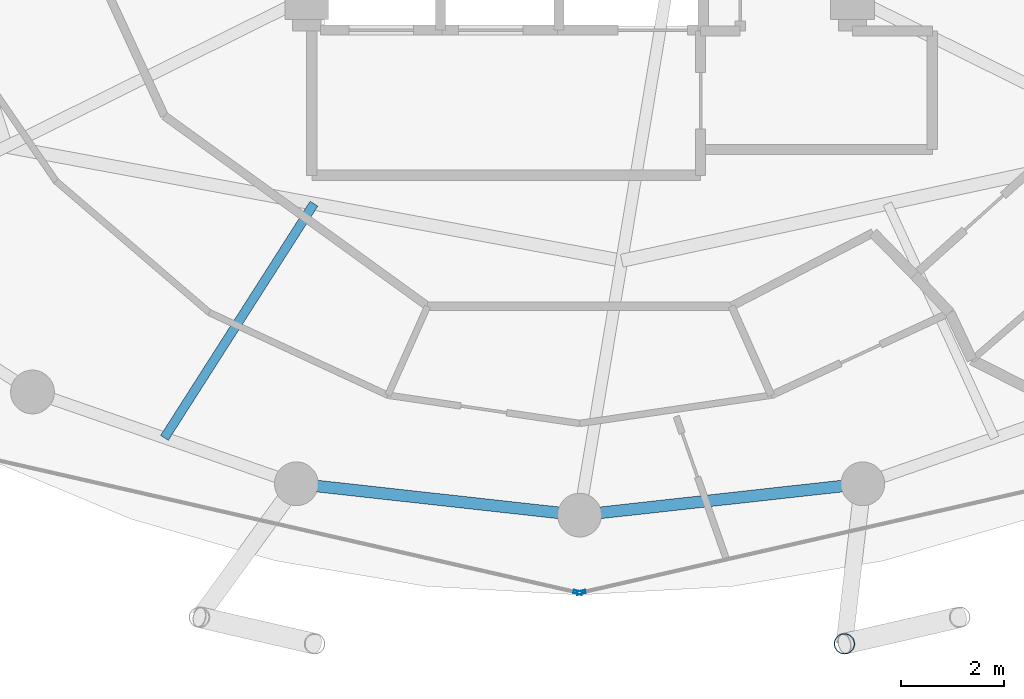
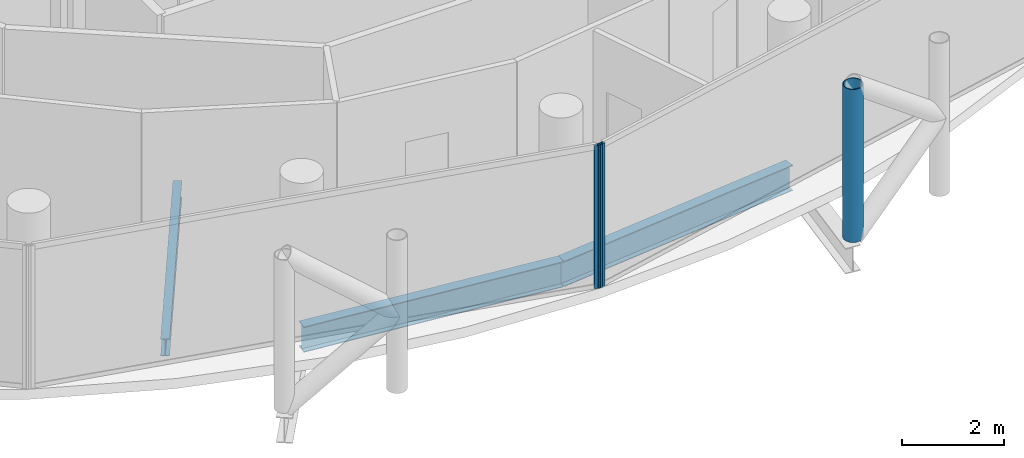
# One storey, part 5 of 28: 3 beams, 3 members, 2 elements without a shape of their own.
"""IFC4 building model written with IfcOpenShell, lengths in metres."""

import ifcopenshell
import ifcopenshell.guid

model = None  # the IFC model being written
_history = None  # IfcOwnerHistory: only IFC2X3 demands one
_inside = {}  # id of a spatial element -> (the spatial element, [elements in it])
_under = {}  # id of a project, library or spatial element -> (it, [spatial elements below it])
_declared = {}  # id of a project -> (the project, [libraries it declares])
_typed = {}  # id of a type object -> (the type object, [elements of that type])
_made_of = {}  # id of a material, layer set ... -> (it, [elements and type objects made of it])


def new_model(schema):
    """Start an empty IFC model of exactly this schema.

    Asked for "IFC4X3", IfcOpenShell would pick the latest addendum, in which some entities
    have other attributes; the version numbers below select the first issue.
    IFC2X3 requires an IfcOwnerHistory on every rooted entity: one is made here for all.
    """
    global model, _history
    if schema == "IFC4X3":
        model = ifcopenshell.file(schema_version=(4, 3, 0, 0))
    else:
        model = ifcopenshell.file(schema=schema)
    _inside.clear()
    _under.clear()
    _declared.clear()
    _typed.clear()
    _made_of.clear()
    _history = None
    if model.schema == "IFC2X3":
        org = make("IfcOrganization", Name="unknown")
        user = make(
            "IfcPersonAndOrganization",
            ThePerson=make("IfcPerson", FamilyName="unknown"),
            TheOrganization=org,
        )
        app = make(
            "IfcApplication",
            ApplicationDeveloper=org,
            Version="unknown",
            ApplicationFullName="unknown",
            ApplicationIdentifier="unknown",
        )
        _history = make(
            "IfcOwnerHistory",
            OwningUser=user,
            OwningApplication=app,
            ChangeAction="ADDED",
            CreationDate=0,
        )
    return model


def make(cls, **values):
    """One entity of the class cls with the attributes given. An attribute that is None is left unset."""
    return model.create_entity(
        cls, **{name: value for name, value in values.items() if value is not None}
    )


def rooted(cls, **values):
    """An entity with a GlobalId (a new one), such as an element, a storey or a relation."""
    return make(cls, GlobalId=ifcopenshell.guid.new(), OwnerHistory=_history, **values)


def si_unit(unit_type, name, prefix=None):
    """IfcSIUnit, for example si_unit("LENGTHUNIT", "METRE", prefix="MILLI")."""
    return make("IfcSIUnit", UnitType=unit_type, Prefix=prefix, Name=name)


def assignment(units):
    """IfcUnitAssignment: the units of a project."""
    return None if units is None else make("IfcUnitAssignment", Units=units)


def point(xyz):
    """IfcCartesianPoint."""
    return None if xyz is None else make("IfcCartesianPoint", Coordinates=xyz)


def direction(xyz):
    """IfcDirection."""
    return None if xyz is None else make("IfcDirection", DirectionRatios=xyz)


def frame(location, z_axis=None, x_axis=None):
    """IfcAxis2Placement3D, a coordinate frame: its origin and axes. An axis left out is left unset."""
    return make(
        "IfcAxis2Placement3D",
        Location=point(location),
        Axis=direction(z_axis),
        RefDirection=direction(x_axis),
    )


def frame_2d(location, x_axis=None):
    """IfcAxis2Placement2D, a coordinate frame in the plane: its origin and x axis."""
    return make(
        "IfcAxis2Placement2D", Location=point(location), RefDirection=direction(x_axis)
    )


def origin():
    """The frame at (0, 0, 0) with its axes left unset."""
    return frame((0.0, 0.0, 0.0))


def origin_2d():
    """The frame at (0, 0) in the plane with its x axis left unset."""
    return frame_2d((0.0, 0.0))


def place(relative_to, where):
    """IfcLocalPlacement: puts the frame where relative to a parent placement (None: the world)."""
    return make(
        "IfcLocalPlacement", PlacementRelTo=relative_to, RelativePlacement=where
    )


def context(
    kind, dimensions, precision=None, world=None, true_north=None, identifier=None
):
    """IfcGeometricRepresentationContext, for example the 3D "Model" context."""
    return make(
        "IfcGeometricRepresentationContext",
        ContextIdentifier=identifier,
        ContextType=kind,
        CoordinateSpaceDimension=dimensions,
        Precision=precision,
        WorldCoordinateSystem=world,
        TrueNorth=true_north,
    )


def subcontext(parent, identifier, kind, view, scale=None):
    """IfcGeometricRepresentationSubContext, for example "Body" below "Model"."""
    return make(
        "IfcGeometricRepresentationSubContext",
        ContextIdentifier=identifier,
        ContextType=kind,
        ParentContext=parent,
        TargetScale=scale,
        TargetView=view,
    )


def project(units=None, contexts=None):
    """IfcProject with its units and contexts."""
    return rooted(
        "IfcProject",
        Name="project",
        RepresentationContexts=contexts,
        UnitsInContext=assignment(units),
    )


def spatial(cls, under=None, at=None, **own):
    """A site, building, storey or space (cls), placed at a placement, below another one or the project."""
    s = rooted(cls, ObjectPlacement=at, **own)
    if under is not None:
        _under.setdefault(under.id(), (under, []))[1].append(s)
    return s


def profile(cls, at=None, kind="AREA", **sizes):
    """A parametric profile (cls). Its sizes go by their IFC names, for example OverallWidth=200.0."""
    return make(cls, ProfileType=kind, Position=at, **sizes)


def hollow_rectangle(**sizes):
    """IfcRectangleHollowProfileDef."""
    return profile("IfcRectangleHollowProfileDef", **sizes)


def hollow_circle(**sizes):
    """IfcCircleHollowProfileDef."""
    return profile("IfcCircleHollowProfileDef", **sizes)


def i_section(**sizes):
    """IfcIShapeProfileDef."""
    return profile("IfcIShapeProfileDef", **sizes)


def extrude(swept, where, along, depth):
    """IfcExtrudedAreaSolid: the profile swept, set in the frame where, extruded along a direction by depth."""
    return make(
        "IfcExtrudedAreaSolid",
        SweptArea=swept,
        Position=where,
        ExtrudedDirection=direction(along),
        Depth=depth,
    )


def shape(context_of_items, identifier, shape_type, items):
    """IfcShapeRepresentation: the items that make up one representation, for example the "Body"."""
    return make(
        "IfcShapeRepresentation",
        ContextOfItems=context_of_items,
        RepresentationIdentifier=identifier,
        RepresentationType=shape_type,
        Items=items,
    )


def material(Name=None, Category=None):
    """IfcMaterial."""
    return make("IfcMaterial", Name=Name, Category=Category)


def layer(
    of_material, thickness, ventilated=None, Name=None, Category=None, Priority=None
):
    """IfcMaterialLayer: one layer of a wall or slab, of a material (None: an air gap)."""
    return make(
        "IfcMaterialLayer",
        Material=of_material,
        LayerThickness=thickness,
        IsVentilated=ventilated,
        Name=Name,
        Category=Category,
        Priority=Priority,
    )


def layer_set(layers, Name=None):
    """IfcMaterialLayerSet."""
    return make("IfcMaterialLayerSet", MaterialLayers=layers, LayerSetName=Name)


def material_profile(
    of_material, cross_section, Name=None, Category=None, Priority=None
):
    """IfcMaterialProfile: a cross section and its material."""
    return make(
        "IfcMaterialProfile",
        Name=Name,
        Material=of_material,
        Profile=cross_section,
        Priority=Priority,
        Category=Category,
    )


def profile_set(profiles, Name=None, composite=None):
    """IfcMaterialProfileSet."""
    return make(
        "IfcMaterialProfileSet",
        Name=Name,
        MaterialProfiles=profiles,
        CompositeProfile=composite,
    )


def made_of(thing, what):
    """Note that an element or type object is made of a material, layer set ...; save() writes the relation."""
    if what is not None:
        _made_of.setdefault(what.id(), (what, []))[1].append(thing)
    return thing


def type_object(cls, material=None, **own):
    """A type object (cls), such as IfcWallType, which elements share."""
    return made_of(rooted(cls, **own), material)


def element(
    cls,
    number,
    at=None,
    inside=None,
    cuts=None,
    type_object=None,
    material=None,
    context=None,
    identifier="Body",
    shape_type=None,
    held_by="IfcProductDefinitionShape",
    body=None,
    shapes=None,
    **own,
):
    """One element of the class cls, such as IfcWall. Its Tag is "e" and its number.

    at: its placement. inside: the storey or other place that contains it. cuts: it is an
    opening in that element (IfcRelVoidsElement). A single representation is given by context,
    identifier, shape_type and body (its items); several are given by shapes. held_by: the class
    of the entity that holds the representations. save() writes the other relations.
    """
    e = rooted(cls, Tag="e%d" % number, ObjectPlacement=at, **own)
    if body is not None:
        shapes = [shape(context, identifier, shape_type, body)]
    if shapes is not None:
        e.Representation = make(held_by, Representations=shapes)
    if inside is not None:
        _inside.setdefault(inside.id(), (inside, []))[1].append(e)
    if cuts is not None:
        rooted(
            "IfcRelVoidsElement", RelatingBuildingElement=cuts, RelatedOpeningElement=e
        )
    if type_object is not None:
        _typed.setdefault(type_object.id(), (type_object, []))[1].append(e)
    return made_of(e, material)


def aggregate(whole, parts):
    """IfcRelAggregates: a whole, such as a stair, and the parts it consists of."""
    return rooted("IfcRelAggregates", RelatingObject=whole, RelatedObjects=parts)


def save(model, path):
    """Write the relations noted so far, then the file.

    IfcRelAggregates (storeys below a building ...), IfcRelContainedInSpatialStructure (elements
    in a storey), IfcRelDefinesByType, IfcRelAssociatesMaterial and IfcRelDeclares: one each for
    every whole, place, type object, material and project.
    """
    for whole, parts in _under.values():
        aggregate(whole, parts)
    for where, things in _inside.values():
        rooted(
            "IfcRelContainedInSpatialStructure",
            RelatedElements=things,
            RelatingStructure=where,
        )
    for kind, things in _typed.values():
        rooted("IfcRelDefinesByType", RelatedObjects=things, RelatingType=kind)
    for what, things in _made_of.values():
        rooted("IfcRelAssociatesMaterial", RelatedObjects=things, RelatingMaterial=what)
    for by, libraries in _declared.values():
        rooted("IfcRelDeclares", RelatingContext=by, RelatedDefinitions=libraries)
    model.write(path)


model = new_model("IFC4")

# Units and contexts
model_context = context("Model", 3, precision=1e-05, world=origin(), true_north=direction((0.0, 1.0)))
body_context = subcontext(model_context, "Body", "Model", "MODEL_VIEW")
ifc_project = project(units=[si_unit("LENGTHUNIT", "METRE"), si_unit("AREAUNIT", "SQUARE_METRE"), si_unit("VOLUMEUNIT", "CUBIC_METRE"), si_unit("PLANEANGLEUNIT", "RADIAN"), si_unit("MASSUNIT", "GRAM", prefix="KILO")], contexts=[model_context])

# Site, building, storey
site_placement = place(None, origin())
site = spatial("IfcSite", under=ifc_project, at=site_placement, CompositionType="ELEMENT")
building_placement = place(site_placement, origin())
building = spatial("IfcBuilding", under=site, at=building_placement, Name="Nuhasar Tower", CompositionType="ELEMENT")
storey_placement = place(building_placement, frame((0.0, 0.0, 222.75)))
storey = spatial("IfcBuildingStorey", under=building, at=storey_placement, Name="L54", CompositionType="ELEMENT", Elevation=222.75)

# Beams
ifc_material_1 = material(Name="Steel S355", Category="steel")
ifc_material_profile_1 = material_profile(ifc_material_1, i_section(OverallWidth=0.177978515625, OverallDepth=0.406005859375, WebThickness=0.0078125, FlangeThickness=0.0126953125, at=origin_2d()), Name="W16X40")
ifc_profile_set_1 = profile_set([ifc_material_profile_1], Name="Steel S355")
beam_type_1 = type_object("IfcBeamType", Name="BM-JST-W16X40", PredefinedType="JOIST", material=ifc_profile_set_1)
beam_placement = place(storey_placement, frame((33.842041015625, 14.998046875, -0.443115234375), z_axis=(-0.538168818546, -0.842837067733, 0.0), x_axis=(0.842837067733, -0.538168818546, 0.0)))
element("IfcBeam", 1, at=beam_placement, inside=storey, type_object=beam_type_1, Name="L54 Secondary Floor Joist 01", PredefinedType="JOIST", context=body_context, shape_type="SweptSolid", body=[
    extrude(i_section(OverallWidth=0.177978515625, OverallDepth=0.406005859375, WebThickness=0.0078125, FlangeThickness=0.0126953125, at=origin_2d()), origin(), (0.0, 0.0, 1.0), 5.396240234375),
])
ifc_material_profile_2 = material_profile(ifc_material_1, i_section(OverallWidth=0.22802734375, OverallDepth=0.60791015625, WebThickness=0.01123046875, FlangeThickness=0.017333984375, at=origin_2d()), Name="W24X76")
ifc_profile_set_2 = profile_set([ifc_material_profile_2], Name="Steel S355")
beam_type_2 = type_object("IfcBeamType", Name="BM-RING-W24X76", PredefinedType="SPANDREL", material=ifc_profile_set_2)
for number, where, z_axis, x_axis, name in (
    (2, (33.5, 9.55810546875, -0.5439453125), (0.993942242238, -0.109903680993, 0.0), (0.109903680993, 0.993942242238, 0.0), "L54 Perimeter Ring Spandrel 18"),
    (3, (39.0, 8.949951171875, -0.5439453125), (0.993942242238, 0.109903680993, 0.0), (-0.109903680993, 0.993942242238, 0.0), "L54 Perimeter Ring Spandrel 19"),
):
    element("IfcBeam", number, at=place(storey_placement, frame(where, z_axis=z_axis, x_axis=x_axis)), inside=storey, type_object=beam_type_2, Name=name, PredefinedType="SPANDREL", context=body_context, shape_type="SweptSolid", body=[
        extrude(i_section(OverallWidth=0.22802734375, OverallDepth=0.60791015625, WebThickness=0.01123046875, FlangeThickness=0.017333984375, at=origin_2d()), origin(), (0.0, 0.0, 1.0), 5.533447265625),
    ])

# Curtain wall, member
ifc_material_2 = material(Name="Aluminium 6063-T6", Category="aluminium")
ifc_layer = layer(ifc_material_2, 0.18994140625)
ifc_layer_set = layer_set([ifc_layer], Name="Aluminium 6063-T6")
curtain_wall_type = type_object("IfcCurtainWallType", Name="CW-Z3-RES", PredefinedType="NOTDEFINED", material=ifc_layer_set)
curtain_wall_1_placement = place(storey_placement, origin())
curtain_wall_1 = element("IfcCurtainWall", 4, at=curtain_wall_1_placement, inside=storey, type_object=curtain_wall_type, Name="L54 Unitised Curtain Wall 09", PredefinedType="NOTDEFINED")
ifc_material_profile_3 = material_profile(ifc_material_2, hollow_rectangle(XDim=0.06494140625, YDim=0.169921875, WallThickness=0.0048828125, at=origin_2d()), Name="CWM-4")
ifc_profile_set_3 = profile_set([ifc_material_profile_3], Name="Aluminium 6063-T6")
member_type_1 = type_object("IfcMemberType", Name="CW-MUL-S4", PredefinedType="MULLION", material=ifc_profile_set_3)
member_1_placement = place(storey_placement, frame((38.96826171875, 7.447265625, 0.0), z_axis=(0.0, 0.0, 1.0), x_axis=(0.222243176313, 0.974991266926, 0.0)))
member_1 = element("IfcMember", 5, at=member_1_placement, type_object=member_type_1, Name="CW-Z3 mullion 2", PredefinedType="MULLION", context=body_context, shape_type="SweptSolid", body=[
    extrude(hollow_rectangle(XDim=0.06494140625, YDim=0.169921875, WallThickness=0.0048828125, at=origin_2d()), origin(), (0.0, 0.0, 1.0), 3.409912109375),
])
aggregate(curtain_wall_1, [member_1])

curtain_wall_2_placement = place(storey_placement, origin())
curtain_wall_2 = element("IfcCurtainWall", 6, at=curtain_wall_2_placement, inside=storey, type_object=curtain_wall_type, Name="L54 Unitised Curtain Wall 10", PredefinedType="NOTDEFINED")
member_2_placement = place(storey_placement, frame((39.03173828125, 7.447265625, 0.0), z_axis=(0.0, 0.0, 1.0), x_axis=(-0.222243176313, 0.974991266926, 0.0)))
member_2 = element("IfcMember", 7, at=member_2_placement, type_object=member_type_1, Name="CW-Z3 mullion 1", PredefinedType="MULLION", context=body_context, shape_type="SweptSolid", body=[
    extrude(hollow_rectangle(XDim=0.06494140625, YDim=0.169921875, WallThickness=0.0048828125, at=origin_2d()), origin(), (0.0, 0.0, 1.0), 3.409912109375),
])
aggregate(curtain_wall_2, [member_2])

# Member
ifc_material_3 = material(Name="Steel S460", Category="steel")
ifc_material_profile_4 = material_profile(ifc_material_3, hollow_circle(Radius=0.203125, WallThickness=0.01904296875, at=origin_2d()), Name="HSS406.4X19.1")
ifc_profile_set_4 = profile_set([ifc_material_profile_4], Name="Steel S460")
member_type_2 = type_object("IfcMemberType", Name="EXO-BRONZE-406", PredefinedType="BRACE", material=ifc_profile_set_4)
member_3_placement = place(storey_placement, frame((44.14306640625, 6.450927734375, 0.0), z_axis=(0.0, 0.0, 1.0), x_axis=(1.0, 0.0, 0.0)))
element("IfcMember", 8, at=member_3_placement, inside=storey, type_object=member_type_2, Name="L54 Exoskeleton Chord Column EC-10A", PredefinedType="BRACE", context=body_context, shape_type="SweptSolid", body=[
    extrude(hollow_circle(Radius=0.203125, WallThickness=0.01904296875, at=origin_2d()), origin(), (0.0, 0.0, 1.0), 3.64990234375),
])

save(model, "model.ifc")
